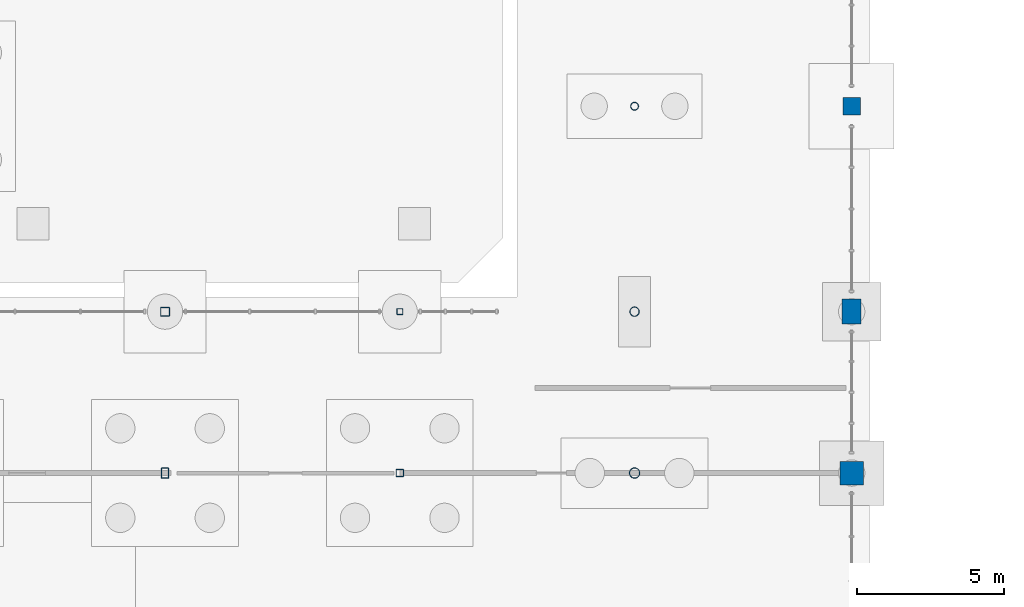
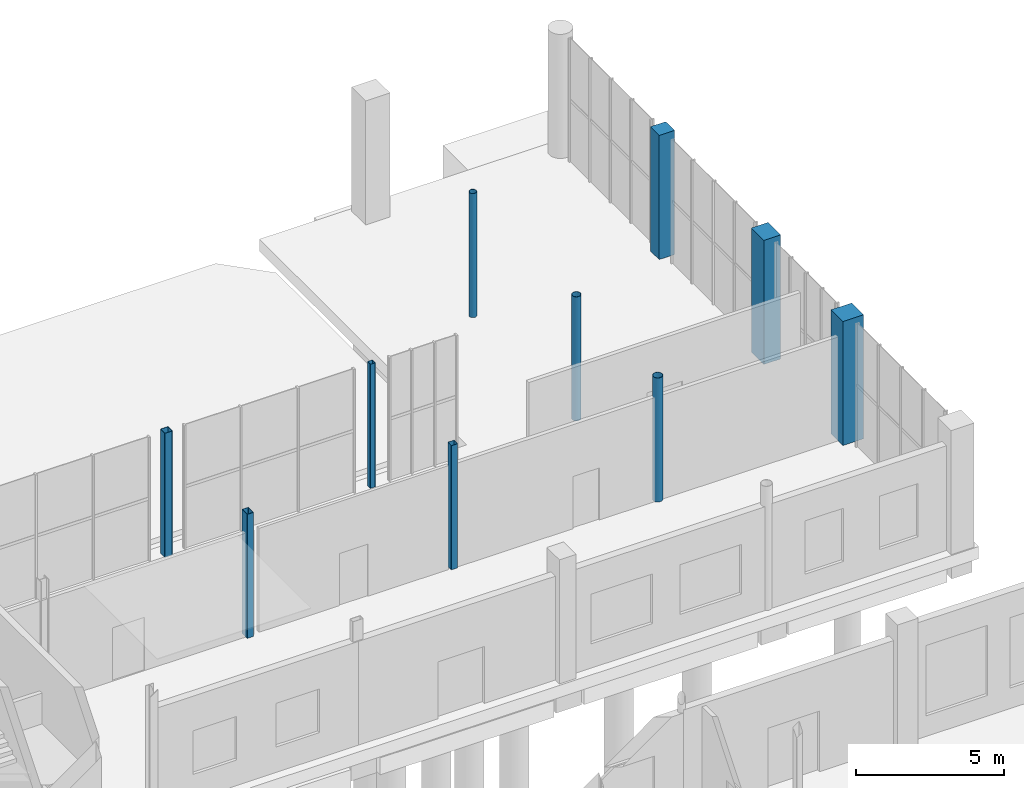
# One storey, part 32 of 87: 10 columns.
"""IFC4 building model written with IfcOpenShell, lengths in metres."""

from ifc_helpers import new_model, si_unit, direction, frame, origin, origin_2d, place, context, subcontext, project, spatial, rectangle, hollow_rectangle, hollow_circle, extrude, material, material_profile, profile_set, type_object, element, save


model = new_model("IFC4")

# Units and contexts
model_context = context("Model", 3, precision=1e-05, world=origin(), true_north=direction((0.0, 1.0)))
body_context = subcontext(model_context, "Body", "Model", "MODEL_VIEW")
ifc_project = project(units=[si_unit("LENGTHUNIT", "METRE"), si_unit("AREAUNIT", "SQUARE_METRE"), si_unit("VOLUMEUNIT", "CUBIC_METRE"), si_unit("PLANEANGLEUNIT", "RADIAN"), si_unit("MASSUNIT", "GRAM", prefix="KILO")], contexts=[model_context])

# Site, building, storey
site_placement = place(None, origin())
site = spatial("IfcSite", under=ifc_project, at=site_placement, CompositionType="ELEMENT")
building_placement = place(site_placement, origin())
building = spatial("IfcBuilding", under=site, at=building_placement, Name="Brisemont Oceanarium", CompositionType="ELEMENT")
storey_placement = place(building_placement, origin())
storey = spatial("IfcBuildingStorey", under=building, at=storey_placement, Name="L00", CompositionType="ELEMENT", Elevation=0.0)

# Columns
ifc_material_1 = material(Name="Structural Steel ASTM A500 Gr.C", Category="steel")
ifc_material_profile_1 = material_profile(ifc_material_1, hollow_circle(Radius=0.136474609375, WallThickness=0.01171875, at=origin_2d()), Name="HSS10.750X0.500")
ifc_profile_set_1 = profile_set([ifc_material_profile_1], Name="Structural Steel ASTM A500 Gr.C")
column_type_1 = type_object("IfcColumnType", Name="COL-CHS10", PredefinedType="COLUMN", material=ifc_profile_set_1)
column_1_placement = place(storey_placement, frame((152.0, 100.5, 0.0), z_axis=(0.0, 0.0, 1.0), x_axis=(1.0, 0.0, 0.0)))
element("IfcColumn", 1, at=column_1_placement, inside=storey, type_object=column_type_1, Name="V6 L00 column (5,3)", PredefinedType="COLUMN", context=body_context, shape_type="SweptSolid", body=[
    extrude(hollow_circle(Radius=0.136474609375, WallThickness=0.01171875, at=origin_2d()), origin(), (0.0, 0.0, 1.0), 5.1201171875),
])
ifc_material_2 = material(Name="Structural Steel ASTM A500 Gr.C", Category="steel")
ifc_material_profile_2 = material_profile(ifc_material_2, hollow_circle(Radius=0.162109375, WallThickness=0.01171875, at=origin_2d()), Name="HSS12.750X0.500")
ifc_profile_set_2 = profile_set([ifc_material_profile_2], Name="Structural Steel ASTM A500 Gr.C")
column_type_2 = type_object("IfcColumnType", Name="COL-CHS12", PredefinedType="COLUMN", material=ifc_profile_set_2)
column_2_placement = place(storey_placement, frame((152.0, 93.5, 0.0), z_axis=(0.0, 0.0, 1.0), x_axis=(0.0, 1.0, 0.0)))
element("IfcColumn", 2, at=column_2_placement, inside=storey, type_object=column_type_2, Name="V6 L00 column (5,2)", PredefinedType="COLUMN", context=body_context, shape_type="SweptSolid", body=[
    extrude(hollow_circle(Radius=0.162109375, WallThickness=0.01171875, at=origin_2d()), origin(), (0.0, 0.0, 1.0), 5.1201171875),
])
ifc_material_3 = material(Name="Structural Steel ASTM A500 Gr.C", Category="steel")
ifc_material_profile_3 = material_profile(ifc_material_3, hollow_circle(Radius=0.177978515625, WallThickness=0.01171875, at=origin_2d()), Name="HSS14.000X0.500")
ifc_profile_set_3 = profile_set([ifc_material_profile_3], Name="Structural Steel ASTM A500 Gr.C")
column_type_3 = type_object("IfcColumnType", Name="COL-CHS14", PredefinedType="COLUMN", material=ifc_profile_set_3)
column_3_placement = place(storey_placement, frame((152.0, 88.0, 0.0), z_axis=(0.0, 0.0, 1.0), x_axis=(1.0, 0.0, 0.0)))
element("IfcColumn", 3, at=column_3_placement, inside=storey, type_object=column_type_3, Name="V6 L00 column (5,1)", PredefinedType="COLUMN", context=body_context, shape_type="SweptSolid", body=[
    extrude(hollow_circle(Radius=0.177978515625, WallThickness=0.01171875, at=origin_2d()), origin(), (0.0, 0.0, 1.0), 5.1201171875),
])
ifc_material_4 = material(Name="Structural Steel ASTM A500 Gr.C", Category="steel")
ifc_material_profile_4 = material_profile(ifc_material_4, hollow_rectangle(XDim=0.25390625, YDim=0.25390625, WallThickness=0.01171875, InnerFilletRadius=0.01220703125, OuterFilletRadius=0.02392578125, at=origin_2d()), Name="HSS10X10X1/2")
ifc_profile_set_4 = profile_set([ifc_material_profile_4], Name="Structural Steel ASTM A500 Gr.C")
column_type_4 = type_object("IfcColumnType", Name="COL-HSS10X10", PredefinedType="COLUMN", material=ifc_profile_set_4)
column_4_placement = place(storey_placement, frame((144.0, 88.0, 0.0), z_axis=(0.0, 0.0, 1.0), x_axis=(0.0, 1.0, 0.0)))
element("IfcColumn", 4, at=column_4_placement, inside=storey, type_object=column_type_4, Name="V6 L00 column (4,1)", PredefinedType="COLUMN", context=body_context, shape_type="SweptSolid", body=[
    extrude(hollow_rectangle(XDim=0.25390625, YDim=0.25390625, WallThickness=0.01171875, InnerFilletRadius=0.01220703125, OuterFilletRadius=0.02392578125, at=origin_2d()), origin(), (0.0, 0.0, 1.0), 5.1201171875),
])
ifc_material_5 = material(Name="Structural Steel ASTM A500 Gr.C", Category="steel")
ifc_material_profile_5 = material_profile(ifc_material_5, hollow_rectangle(XDim=0.304931640625, YDim=0.304931640625, WallThickness=0.01171875, InnerFilletRadius=0.01220703125, OuterFilletRadius=0.02392578125, at=origin_2d()), Name="HSS12X12X1/2")
ifc_profile_set_5 = profile_set([ifc_material_profile_5], Name="Structural Steel ASTM A500 Gr.C")
column_type_5 = type_object("IfcColumnType", Name="COL-HSS12X12", PredefinedType="COLUMN", material=ifc_profile_set_5)
column_5_placement = place(storey_placement, frame((136.0, 93.5, 0.0), z_axis=(0.0, 0.0, 1.0), x_axis=(0.0, 1.0, 0.0)))
element("IfcColumn", 5, at=column_5_placement, inside=storey, type_object=column_type_5, Name="V6 L00 column (3,2)", PredefinedType="COLUMN", context=body_context, shape_type="SweptSolid", body=[
    extrude(hollow_rectangle(XDim=0.304931640625, YDim=0.304931640625, WallThickness=0.01171875, InnerFilletRadius=0.01220703125, OuterFilletRadius=0.02392578125, at=origin_2d()), origin(), (0.0, 0.0, 1.0), 5.1201171875),
])
ifc_material_6 = material(Name="Structural Steel ASTM A500 Gr.C", Category="steel")
ifc_material_profile_6 = material_profile(ifc_material_6, hollow_rectangle(XDim=0.25390625, YDim=0.35595703125, WallThickness=0.01171875, InnerFilletRadius=0.01220703125, OuterFilletRadius=0.02392578125, at=origin_2d()), Name="HSS14X10X1/2")
ifc_profile_set_6 = profile_set([ifc_material_profile_6], Name="Structural Steel ASTM A500 Gr.C")
column_type_6 = type_object("IfcColumnType", Name="COL-HSS14X10", PredefinedType="COLUMN", material=ifc_profile_set_6)
column_6_placement = place(storey_placement, frame((136.0, 88.0, 0.0), z_axis=(0.0, 0.0, 1.0), x_axis=(1.0, 0.0, 0.0)))
element("IfcColumn", 6, at=column_6_placement, inside=storey, type_object=column_type_6, Name="V6 L00 column (3,1)", PredefinedType="COLUMN", context=body_context, shape_type="SweptSolid", body=[
    extrude(hollow_rectangle(XDim=0.25390625, YDim=0.35595703125, WallThickness=0.01171875, InnerFilletRadius=0.01220703125, OuterFilletRadius=0.02392578125, at=origin_2d()), origin(), (0.0, 0.0, 1.0), 5.1201171875),
])
ifc_material_7 = material(Name="Structural Steel ASTM A500 Gr.C", Category="steel")
ifc_material_profile_7 = material_profile(ifc_material_7, hollow_rectangle(XDim=0.202880859375, YDim=0.202880859375, WallThickness=0.0087890625, InnerFilletRadius=0.009033203125, OuterFilletRadius=0.01806640625, at=origin_2d()), Name="HSS8X8X3/8")
ifc_profile_set_7 = profile_set([ifc_material_profile_7], Name="Structural Steel ASTM A500 Gr.C")
column_type_7 = type_object("IfcColumnType", Name="COL-HSS8X8", PredefinedType="COLUMN", material=ifc_profile_set_7)
column_7_placement = place(storey_placement, frame((144.0, 93.5, 0.0), z_axis=(0.0, 0.0, 1.0), x_axis=(1.0, 0.0, 0.0)))
element("IfcColumn", 7, at=column_7_placement, inside=storey, type_object=column_type_7, Name="V6 L00 column (4,2)", PredefinedType="COLUMN", context=body_context, shape_type="SweptSolid", body=[
    extrude(hollow_rectangle(XDim=0.202880859375, YDim=0.202880859375, WallThickness=0.0087890625, InnerFilletRadius=0.009033203125, OuterFilletRadius=0.01806640625, at=origin_2d()), origin(), (0.0, 0.0, 1.0), 5.1201171875),
])
ifc_material_8 = material(Name="Concrete C35/45", Category="concrete")
ifc_material_profile_8 = material_profile(ifc_material_8, rectangle(XDim=0.60009765625, YDim=0.60009765625, at=origin_2d()), Name="RC-COL-600X600")
ifc_profile_set_8 = profile_set([ifc_material_profile_8], Name="Concrete C35/45")
column_type_8 = type_object("IfcColumnType", Name="COL-RC600", PredefinedType="COLUMN", material=ifc_profile_set_8)
column_8_placement = place(storey_placement, frame((159.39990234375, 100.5, 0.0), z_axis=(0.0, 0.0, 1.0), x_axis=(0.0, 1.0, 0.0)))
element("IfcColumn", 8, at=column_8_placement, inside=storey, type_object=column_type_8, Name="V6 L00 column (6,3)", PredefinedType="COLUMN", context=body_context, shape_type="SweptSolid", body=[
    extrude(rectangle(XDim=0.60009765625, YDim=0.60009765625, at=origin_2d()), origin(), (0.0, 0.0, 1.0), 5.1201171875),
])
ifc_material_9 = material(Name="Concrete C40/50", Category="concrete")
ifc_material_profile_9 = material_profile(ifc_material_9, rectangle(XDim=0.800048828125, YDim=0.800048828125, at=origin_2d()), Name="RC-COL-800X800")
ifc_profile_set_9 = profile_set([ifc_material_profile_9], Name="Concrete C40/50")
column_type_9 = type_object("IfcColumnType", Name="COL-RC800", PredefinedType="COLUMN", material=ifc_profile_set_9)
column_9_placement = place(storey_placement, frame((159.39990234375, 88.0, 0.0), z_axis=(0.0, 0.0, 1.0), x_axis=(0.0, 1.0, 0.0)))
element("IfcColumn", 9, at=column_9_placement, inside=storey, type_object=column_type_9, Name="V6 L00 column (6,1)", PredefinedType="COLUMN", context=body_context, shape_type="SweptSolid", body=[
    extrude(rectangle(XDim=0.800048828125, YDim=0.800048828125, at=origin_2d()), origin(), (0.0, 0.0, 1.0), 5.1201171875),
])
ifc_material_10 = material(Name="Precast Concrete C40/50", Category="concrete")
ifc_material_profile_10 = material_profile(ifc_material_10, rectangle(XDim=0.64990234375, YDim=0.85009765625, at=origin_2d()), Name="RC-PIL-650X850")
ifc_profile_set_10 = profile_set([ifc_material_profile_10], Name="Precast Concrete C40/50")
column_type_10 = type_object("IfcColumnType", Name="PIL-RC650X850", PredefinedType="PILASTER", material=ifc_profile_set_10)
column_10_placement = place(storey_placement, frame((159.39990234375, 93.5, 0.0), z_axis=(0.0, 0.0, 1.0), x_axis=(1.0, 0.0, 0.0)))
element("IfcColumn", 10, at=column_10_placement, inside=storey, type_object=column_type_10, Name="V6 L00 column (6,2)", PredefinedType="PILASTER", context=body_context, shape_type="SweptSolid", body=[
    extrude(rectangle(XDim=0.64990234375, YDim=0.85009765625, at=origin_2d()), origin(), (0.0, 0.0, 1.0), 5.1201171875),
])

save(model, "model.ifc")
